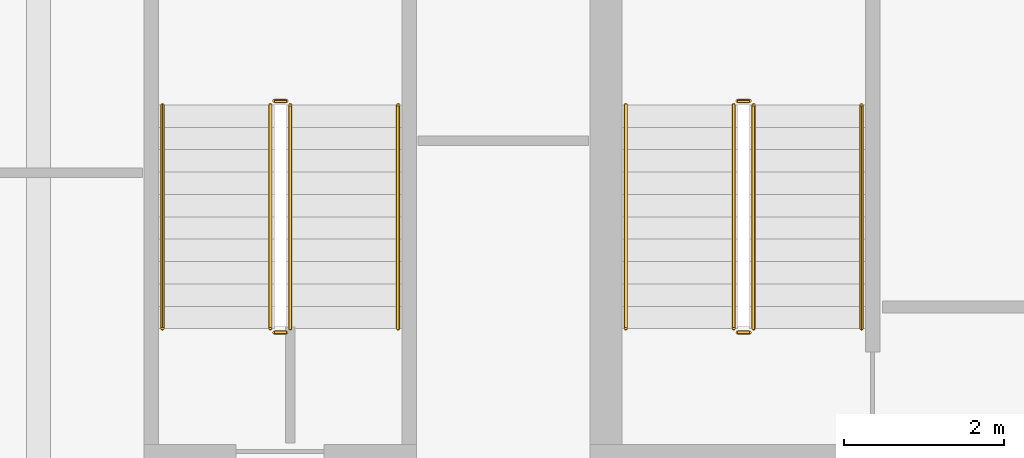
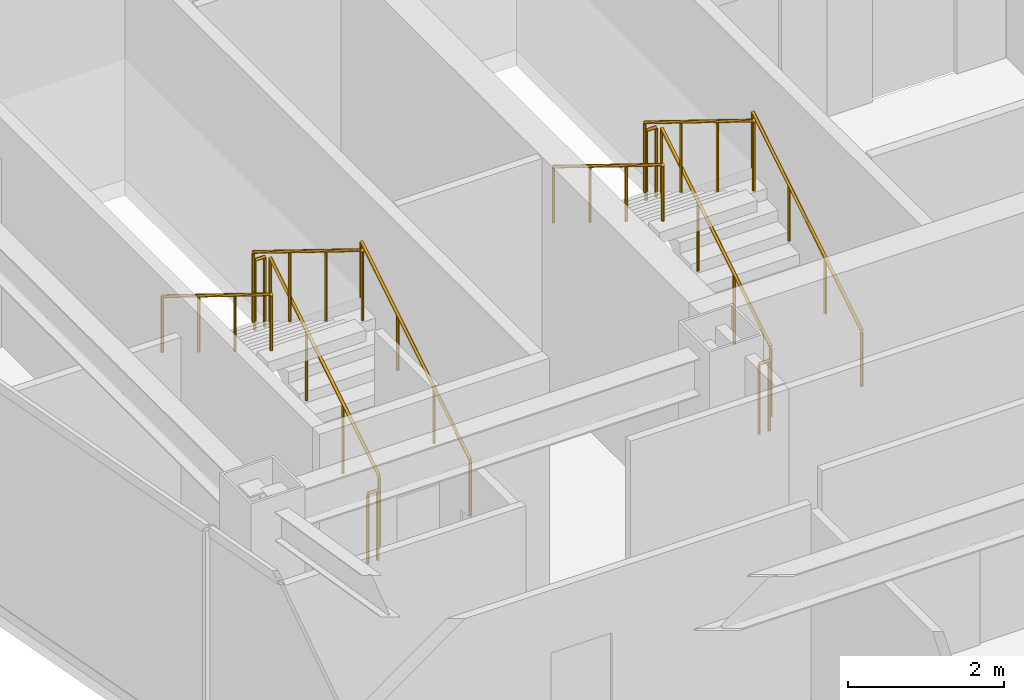
# One storey, part 30 of 32: 12 railings.
"""IFC4 building model written with IfcOpenShell, lengths in metres."""

from ifc_helpers import new_model, si_unit, direction, frame, origin, origin_2d, place, context, subcontext, project, spatial, circle, extrude, material, type_object, element, save


model = new_model("IFC4")

# Units and contexts
model_context = context("Model", 3, precision=1e-05, world=origin(), true_north=direction((0.0, 1.0)))
body_context = subcontext(model_context, "Body", "Model", "MODEL_VIEW")
ifc_project = project(units=[si_unit("LENGTHUNIT", "METRE"), si_unit("AREAUNIT", "SQUARE_METRE"), si_unit("VOLUMEUNIT", "CUBIC_METRE"), si_unit("PLANEANGLEUNIT", "RADIAN"), si_unit("MASSUNIT", "GRAM", prefix="KILO")], contexts=[model_context])

# Site, building, storey
site_placement = place(None, origin())
site = spatial("IfcSite", under=ifc_project, at=site_placement, CompositionType="ELEMENT")
building_placement = place(site_placement, origin())
building = spatial("IfcBuilding", under=site, at=building_placement, Name="Saevonmaru Cultural Tower", CompositionType="ELEMENT")
storey_placement = place(building_placement, frame((0.0, 0.0, 245.800048828125)))
storey = spatial("IfcBuildingStorey", under=building, at=storey_placement, Name="L57", CompositionType="ELEMENT", Elevation=245.800048828125)

# Railings
ifc_material_1 = material(Name="Architectural Painted Steel", Category="steel")
railing_type_1 = type_object("IfcRailingType", Name="RL-STAIR-GUARD", PredefinedType="GUARDRAIL", material=ifc_material_1)
railing_1_placement = place(storey_placement, frame((15.75, 44.85009765625, 0.172607421875)))
element("IfcRailing", 1, at=railing_1_placement, inside=storey, type_object=railing_type_1, Name="L57 ST-1 stair guard 1", PredefinedType="GUARDRAIL", context=body_context, shape_type="SweptSolid", body=[
    extrude(circle(Radius=0.02392578125, at=origin_2d()), frame((0.0, 0.0, 1.09619140625), z_axis=(0.0, 0.851069175582, 0.525053576669), x_axis=(-1.0, 0.0, 0.0)), (0.0, 0.0, 1.0), 3.289794921875),
    extrude(circle(Radius=0.02099609375, at=origin_2d()), origin(), (0.0, 0.0, 1.0), 1.072021484375),
    extrude(circle(Radius=0.02099609375, at=origin_2d()), frame((0.0, 0.933349609375, 0.57568359375)), (0.0, 0.0, 1.0), 1.072021484375),
    extrude(circle(Radius=0.02099609375, at=origin_2d()), frame((0.0, 1.866455078125, 1.151611328125)), (0.0, 0.0, 1.0), 1.072021484375),
    extrude(circle(Radius=0.02099609375, at=origin_2d()), frame((0.0, 2.7998046875, 1.727294921875)), (0.0, 0.0, 1.0), 1.072021484375),
])
railing_2_placement = place(storey_placement, frame((15.699951171875, 47.699951171875, 1.89990234375)))
element("IfcRailing", 2, at=railing_2_placement, inside=storey, type_object=railing_type_1, Name="L57 ST-1 stair guard 2", PredefinedType="GUARDRAIL", context=body_context, shape_type="SweptSolid", body=[
    extrude(circle(Radius=0.02392578125, at=origin_2d()), frame((0.0, 0.0, 1.09619140625), z_axis=(-1.0, 0.0, 0.0), x_axis=(0.0, -1.0, 0.0)), (0.0, 0.0, 1.0), 0.14990234375),
    extrude(circle(Radius=0.02099609375, at=origin_2d()), origin(), (0.0, 0.0, 1.0), 1.072021484375),
    extrude(circle(Radius=0.02099609375, at=origin_2d()), frame((-0.14990234375, 0.0, 0.0)), (0.0, 0.0, 1.0), 1.072021484375),
])
railing_3_placement = place(storey_placement, frame((15.5, 47.64990234375, 2.07275390625)))
element("IfcRailing", 3, at=railing_3_placement, inside=storey, type_object=railing_type_1, Name="L57 ST-1 stair guard 3", PredefinedType="GUARDRAIL", context=body_context, shape_type="SweptSolid", body=[
    extrude(circle(Radius=0.02392578125, at=origin_2d()), frame((0.0, 0.0, 1.09619140625), z_axis=(0.0, -0.851069175582, 0.525053576669), x_axis=(1.0, 0.0, 0.0)), (0.0, 0.0, 1.0), 3.289794921875),
    extrude(circle(Radius=0.02099609375, at=origin_2d()), origin(), (0.0, 0.0, 1.0), 1.072021484375),
    extrude(circle(Radius=0.02099609375, at=origin_2d()), frame((0.0, -0.933349609375, 0.57568359375)), (0.0, 0.0, 1.0), 1.072021484375),
    extrude(circle(Radius=0.02099609375, at=origin_2d()), frame((0.0, -1.866455078125, 1.151611328125)), (0.0, 0.0, 1.0), 1.072021484375),
    extrude(circle(Radius=0.02099609375, at=origin_2d()), frame((0.0, -2.7998046875, 1.727294921875)), (0.0, 0.0, 1.0), 1.072021484375),
])
railing_4_placement = place(storey_placement, frame((15.699951171875, 44.800048828125, 0.0)))
element("IfcRailing", 4, at=railing_4_placement, inside=storey, type_object=railing_type_1, Name="L57 ST-1 stair guard 4", PredefinedType="GUARDRAIL", context=body_context, shape_type="SweptSolid", body=[
    extrude(circle(Radius=0.02392578125, at=origin_2d()), frame((0.0, 0.0, 1.09619140625), z_axis=(-1.0, 0.0, 0.0), x_axis=(0.0, -1.0, 0.0)), (0.0, 0.0, 1.0), 0.14990234375),
    extrude(circle(Radius=0.02099609375, at=origin_2d()), origin(), (0.0, 0.0, 1.0), 1.072021484375),
    extrude(circle(Radius=0.02099609375, at=origin_2d()), frame((-0.14990234375, 0.0, 0.0)), (0.0, 0.0, 1.0), 1.072021484375),
])
railing_5_placement = place(storey_placement, frame((9.949951171875, 44.85009765625, 0.172607421875)))
element("IfcRailing", 5, at=railing_5_placement, inside=storey, type_object=railing_type_1, Name="L57 ST-3 stair guard 1", PredefinedType="GUARDRAIL", context=body_context, shape_type="SweptSolid", body=[
    extrude(circle(Radius=0.02392578125, at=origin_2d()), frame((0.0, 0.0, 1.09619140625), z_axis=(0.0, 0.851069175582, 0.525053576669), x_axis=(-1.0, 0.0, 0.0)), (0.0, 0.0, 1.0), 3.289794921875),
    extrude(circle(Radius=0.02099609375, at=origin_2d()), origin(), (0.0, 0.0, 1.0), 1.072021484375),
    extrude(circle(Radius=0.02099609375, at=origin_2d()), frame((0.0, 0.933349609375, 0.57568359375)), (0.0, 0.0, 1.0), 1.072021484375),
    extrude(circle(Radius=0.02099609375, at=origin_2d()), frame((0.0, 1.866455078125, 1.151611328125)), (0.0, 0.0, 1.0), 1.072021484375),
    extrude(circle(Radius=0.02099609375, at=origin_2d()), frame((0.0, 2.7998046875, 1.727294921875)), (0.0, 0.0, 1.0), 1.072021484375),
])
railing_6_placement = place(storey_placement, frame((9.89990234375, 47.699951171875, 1.89990234375)))
element("IfcRailing", 6, at=railing_6_placement, inside=storey, type_object=railing_type_1, Name="L57 ST-3 stair guard 2", PredefinedType="GUARDRAIL", context=body_context, shape_type="SweptSolid", body=[
    extrude(circle(Radius=0.02392578125, at=origin_2d()), frame((0.0, 0.0, 1.09619140625), z_axis=(-1.0, 0.0, 0.0), x_axis=(0.0, -1.0, 0.0)), (0.0, 0.0, 1.0), 0.14990234375),
    extrude(circle(Radius=0.02099609375, at=origin_2d()), origin(), (0.0, 0.0, 1.0), 1.072021484375),
    extrude(circle(Radius=0.02099609375, at=origin_2d()), frame((-0.14990234375, 0.0, 0.0)), (0.0, 0.0, 1.0), 1.072021484375),
])
railing_7_placement = place(storey_placement, frame((9.699951171875, 47.64990234375, 2.07275390625)))
element("IfcRailing", 7, at=railing_7_placement, inside=storey, type_object=railing_type_1, Name="L57 ST-3 stair guard 3", PredefinedType="GUARDRAIL", context=body_context, shape_type="SweptSolid", body=[
    extrude(circle(Radius=0.02392578125, at=origin_2d()), frame((0.0, 0.0, 1.09619140625), z_axis=(0.0, -0.851069175582, 0.525053576669), x_axis=(1.0, 0.0, 0.0)), (0.0, 0.0, 1.0), 3.289794921875),
    extrude(circle(Radius=0.02099609375, at=origin_2d()), origin(), (0.0, 0.0, 1.0), 1.072021484375),
    extrude(circle(Radius=0.02099609375, at=origin_2d()), frame((0.0, -0.933349609375, 0.57568359375)), (0.0, 0.0, 1.0), 1.072021484375),
    extrude(circle(Radius=0.02099609375, at=origin_2d()), frame((0.0, -1.866455078125, 1.151611328125)), (0.0, 0.0, 1.0), 1.072021484375),
    extrude(circle(Radius=0.02099609375, at=origin_2d()), frame((0.0, -2.7998046875, 1.727294921875)), (0.0, 0.0, 1.0), 1.072021484375),
])
railing_8_placement = place(storey_placement, frame((9.89990234375, 44.800048828125, 0.0)))
element("IfcRailing", 8, at=railing_8_placement, inside=storey, type_object=railing_type_1, Name="L57 ST-3 stair guard 4", PredefinedType="GUARDRAIL", context=body_context, shape_type="SweptSolid", body=[
    extrude(circle(Radius=0.02392578125, at=origin_2d()), frame((0.0, 0.0, 1.09619140625), z_axis=(-1.0, 0.0, 0.0), x_axis=(0.0, -1.0, 0.0)), (0.0, 0.0, 1.0), 0.14990234375),
    extrude(circle(Radius=0.02099609375, at=origin_2d()), origin(), (0.0, 0.0, 1.0), 1.072021484375),
    extrude(circle(Radius=0.02099609375, at=origin_2d()), frame((-0.14990234375, 0.0, 0.0)), (0.0, 0.0, 1.0), 1.072021484375),
])
ifc_material_2 = material(Name="Satin Bronze Anodised Aluminium", Category="aluminium")
railing_type_2 = type_object("IfcRailingType", Name="RL-STAIR-HANDRAIL", PredefinedType="HANDRAIL", material=ifc_material_2)
railing_9_placement = place(storey_placement, frame((17.10009765625, 44.85009765625, 0.172607421875)))
element("IfcRailing", 9, at=railing_9_placement, inside=storey, type_object=railing_type_2, Name="L57 ST-1 stair handrail 1", PredefinedType="HANDRAIL", context=body_context, shape_type="SweptSolid", body=[
    extrude(circle(Radius=0.02392578125, at=origin_2d()), frame((0.0, 0.0, 0.8759765625), z_axis=(0.0, 0.851069175582, 0.525053576669), x_axis=(-1.0, 0.0, 0.0)), (0.0, 0.0, 1.0), 3.289794921875),
    extrude(circle(Radius=0.02099609375, at=origin_2d()), origin(), (0.0, 0.0, 1.0), 0.851806640625),
    extrude(circle(Radius=0.02099609375, at=origin_2d()), frame((0.0, 0.933349609375, 0.57568359375)), (0.0, 0.0, 1.0), 0.851806640625),
    extrude(circle(Radius=0.02099609375, at=origin_2d()), frame((0.0, 1.866455078125, 1.151611328125)), (0.0, 0.0, 1.0), 0.851806640625),
    extrude(circle(Radius=0.02099609375, at=origin_2d()), frame((0.0, 2.7998046875, 1.727294921875)), (0.0, 0.0, 1.0), 0.851806640625),
])
railing_10_placement = place(storey_placement, frame((14.14990234375, 47.64990234375, 2.07275390625)))
element("IfcRailing", 10, at=railing_10_placement, inside=storey, type_object=railing_type_2, Name="L57 ST-1 stair handrail 2", PredefinedType="HANDRAIL", context=body_context, shape_type="SweptSolid", body=[
    extrude(circle(Radius=0.02392578125, at=origin_2d()), frame((0.0, 0.0, 0.8759765625), z_axis=(0.0, -0.851069175582, 0.525053576669), x_axis=(1.0, 0.0, 0.0)), (0.0, 0.0, 1.0), 3.289794921875),
    extrude(circle(Radius=0.02099609375, at=origin_2d()), origin(), (0.0, 0.0, 1.0), 0.851806640625),
    extrude(circle(Radius=0.02099609375, at=origin_2d()), frame((0.0, -0.933349609375, 0.57568359375)), (0.0, 0.0, 1.0), 0.851806640625),
    extrude(circle(Radius=0.02099609375, at=origin_2d()), frame((0.0, -1.866455078125, 1.151611328125)), (0.0, 0.0, 1.0), 0.851806640625),
    extrude(circle(Radius=0.02099609375, at=origin_2d()), frame((0.0, -2.7998046875, 1.727294921875)), (0.0, 0.0, 1.0), 0.851806640625),
])
railing_11_placement = place(storey_placement, frame((11.300048828125, 44.85009765625, 0.172607421875)))
element("IfcRailing", 11, at=railing_11_placement, inside=storey, type_object=railing_type_2, Name="L57 ST-3 stair handrail 1", PredefinedType="HANDRAIL", context=body_context, shape_type="SweptSolid", body=[
    extrude(circle(Radius=0.02392578125, at=origin_2d()), frame((0.0, 0.0, 0.8759765625), z_axis=(0.0, 0.851069175582, 0.525053576669), x_axis=(-1.0, 0.0, 0.0)), (0.0, 0.0, 1.0), 3.289794921875),
    extrude(circle(Radius=0.02099609375, at=origin_2d()), origin(), (0.0, 0.0, 1.0), 0.851806640625),
    extrude(circle(Radius=0.02099609375, at=origin_2d()), frame((0.0, 0.933349609375, 0.57568359375)), (0.0, 0.0, 1.0), 0.851806640625),
    extrude(circle(Radius=0.02099609375, at=origin_2d()), frame((0.0, 1.866455078125, 1.151611328125)), (0.0, 0.0, 1.0), 0.851806640625),
    extrude(circle(Radius=0.02099609375, at=origin_2d()), frame((0.0, 2.7998046875, 1.727294921875)), (0.0, 0.0, 1.0), 0.851806640625),
])
railing_12_placement = place(storey_placement, frame((8.35009765625, 47.64990234375, 2.07275390625)))
element("IfcRailing", 12, at=railing_12_placement, inside=storey, type_object=railing_type_2, Name="L57 ST-3 stair handrail 2", PredefinedType="HANDRAIL", context=body_context, shape_type="SweptSolid", body=[
    extrude(circle(Radius=0.02392578125, at=origin_2d()), frame((0.0, 0.0, 0.8759765625), z_axis=(0.0, -0.851069175582, 0.525053576669), x_axis=(1.0, 0.0, 0.0)), (0.0, 0.0, 1.0), 3.289794921875),
    extrude(circle(Radius=0.02099609375, at=origin_2d()), origin(), (0.0, 0.0, 1.0), 0.851806640625),
    extrude(circle(Radius=0.02099609375, at=origin_2d()), frame((0.0, -0.933349609375, 0.57568359375)), (0.0, 0.0, 1.0), 0.851806640625),
    extrude(circle(Radius=0.02099609375, at=origin_2d()), frame((0.0, -1.866455078125, 1.151611328125)), (0.0, 0.0, 1.0), 0.851806640625),
    extrude(circle(Radius=0.02099609375, at=origin_2d()), frame((0.0, -2.7998046875, 1.727294921875)), (0.0, 0.0, 1.0), 0.851806640625),
])

save(model, "model.ifc")
